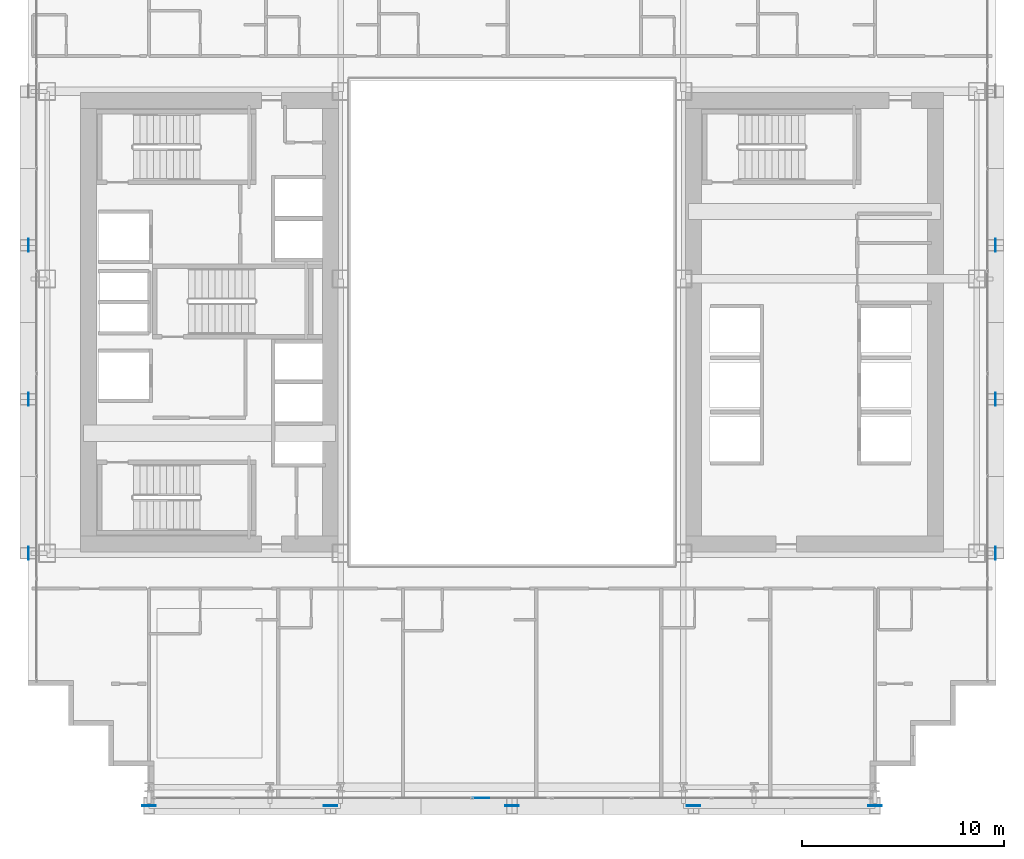
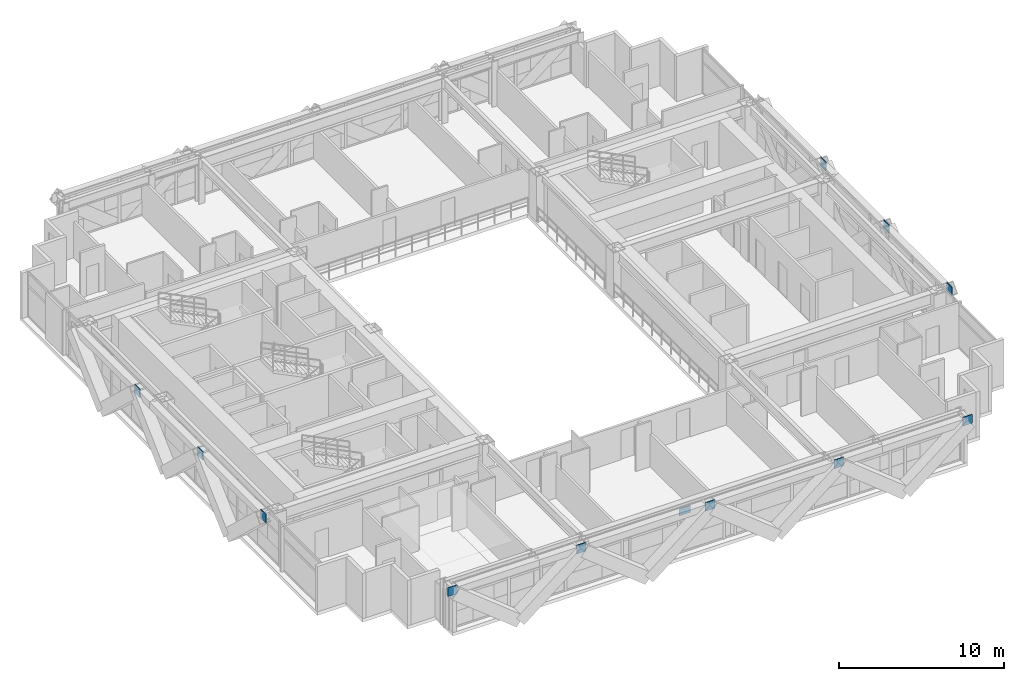
# One storey, part 28 of 38: 12 plates, 1 element without a shape of its own.
"""IFC4 building model written with IfcOpenShell, lengths in metres."""

from ifc_helpers import new_model, si_unit, direction, frame, origin, origin_2d, place, context, subcontext, project, spatial, rectangle, extrude, source, transform, mapped, material, layer, layer_set, type_object, element, aggregate, save


model = new_model("IFC4")

# Units and contexts
model_context = context("Model", 3, precision=1e-05, world=origin(), true_north=direction((0.0, 1.0)))
body_context = subcontext(model_context, "Body", "Model", "MODEL_VIEW")
ifc_project = project(units=[si_unit("LENGTHUNIT", "METRE"), si_unit("AREAUNIT", "SQUARE_METRE"), si_unit("VOLUMEUNIT", "CUBIC_METRE"), si_unit("PLANEANGLEUNIT", "RADIAN"), si_unit("MASSUNIT", "GRAM", prefix="KILO")], contexts=[model_context])

# Site, building, storey
site_placement = place(None, origin())
site = spatial("IfcSite", under=ifc_project, at=site_placement, CompositionType="ELEMENT")
building_placement = place(site_placement, origin())
building = spatial("IfcBuilding", under=site, at=building_placement, Name="Ocotamira Hotel", CompositionType="ELEMENT")
storey_placement = place(building_placement, frame((0.0, 0.0, 45.60009765625)))
storey = spatial("IfcBuildingStorey", under=building, at=storey_placement, Name="L10", CompositionType="ELEMENT", Elevation=45.60009765625)

# Plates
ifc_material_1 = material(Name="Pale-metal coated steel ASTM A572 Grade 50", Category="steel")
ifc_layer_1 = layer(ifc_material_1, 0.0400390625)
ifc_layer_set_1 = layer_set([ifc_layer_1], Name="Pale-metal coated steel ASTM A572 Grade 50")
plate_type_1 = type_object("IfcPlateType", Name="PLT-GUSSET-40", PredefinedType="SHEET", material=ifc_layer_set_1)
shared_shape_1 = source(origin(), body_context, "Body", "SweptSolid", [
    extrude(rectangle(XDim=0.64990234375, YDim=0.0400390625, at=origin_2d()), origin(), (0.0, 0.0, 1.0), 0.64990234375),
])
for number, where, z_axis, x_axis, name in (
    (1, (14.0, 2.030029296875, 2.77490234375), (0.0, 0.0, 1.0), (-1.0, 0.0, 0.0), "L10 Exoskeleton Diagrid S0.1 End Gusset B"),
    (2, (23.0, 2.030029296875, 2.77490234375), (0.0, 0.0, 1.0), (1.0, 0.0, 0.0), "L10 Exoskeleton Diagrid S0.2 End Gusset B"),
    (3, (32.0, 2.030029296875, 2.77490234375), (0.0, 0.0, 1.0), (1.0, 0.0, 0.0), "L10 Exoskeleton Diagrid S1.2 End Gusset B"),
    (4, (41.0, 2.030029296875, 2.77490234375), (0.0, 0.0, 1.0), (1.0, 0.0, 0.0), "L10 Exoskeleton Diagrid S2.2 End Gusset B"),
    (5, (50.0, 2.030029296875, 2.77490234375), (0.0, 0.0, 1.0), (1.0, 0.0, 0.0), "L10 Exoskeleton Diagrid S3.2 End Gusset B"),
):
    element("IfcPlate", number, at=place(storey_placement, frame(where, z_axis=z_axis, x_axis=x_axis)), inside=storey, type_object=plate_type_1, Name=name, PredefinedType="SHEET", context=body_context, shape_type="MappedRepresentation", body=[
        mapped(shared_shape_1, transform((0.0, 0.0, 0.0), scale=1.0)),
    ])
shared_shape_2 = source(origin(), body_context, "Body", "SweptSolid", [
    extrude(rectangle(XDim=0.0400390625, YDim=0.64990234375, at=origin_2d()), origin(), (0.0, 0.0, 1.0), 0.64990234375),
])
for number, where, z_axis, x_axis, name in (
    (6, (8.030029296875, 14.550048828125, 2.77490234375), (0.0, 0.0, 1.0), (1.0, 0.0, 0.0), "L10 Exoskeleton Diagrid W0.1 End Gusset B"),
    (7, (8.030029296875, 22.183349609375, 2.77490234375), (0.0, 0.0, 1.0), (1.0, 0.0, 0.0), "L10 Exoskeleton Diagrid W0.2 End Gusset B"),
    (8, (8.030029296875, 29.816650390625, 2.77490234375), (0.0, 0.0, 1.0), (1.0, 0.0, 0.0), "L10 Exoskeleton Diagrid W1.2 End Gusset B"),
    (9, (55.969970703125, 14.550048828125, 2.77490234375), (0.0, 0.0, 1.0), (1.0, 0.0, 0.0), "L10 Exoskeleton Diagrid E0.1 End Gusset B"),
    (10, (55.969970703125, 22.183349609375, 2.77490234375), (0.0, 0.0, 1.0), (1.0, 0.0, 0.0), "L10 Exoskeleton Diagrid E0.2 End Gusset B"),
    (11, (55.969970703125, 29.816650390625, 2.77490234375), (0.0, 0.0, 1.0), (1.0, 0.0, 0.0), "L10 Exoskeleton Diagrid E1.2 End Gusset B"),
):
    element("IfcPlate", number, at=place(storey_placement, frame(where, z_axis=z_axis, x_axis=x_axis)), inside=storey, type_object=plate_type_1, Name=name, PredefinedType="SHEET", context=body_context, shape_type="MappedRepresentation", body=[
        mapped(shared_shape_2, transform((0.0, 0.0, 0.0), scale=1.0)),
    ])

# Curtain wall, plate
ifc_material_2 = material(Name="Anodised pale-metal aluminium and solar glass", Category="aluminium")
ifc_layer_2 = layer(ifc_material_2, 0.179931640625)
ifc_layer_set_2 = layer_set([ifc_layer_2], Name="Anodised pale-metal aluminium and solar glass")
curtain_wall_type = type_object("IfcCurtainWallType", Name="CW-SYS2-Z1", PredefinedType="NOTDEFINED", material=ifc_layer_set_2)
curtain_wall_placement = place(storey_placement, origin())
curtain_wall = element("IfcCurtainWall", 12, at=curtain_wall_placement, inside=storey, type_object=curtain_wall_type, Name="L10 Curtain Wall CW-2 CW-L10-S1", PredefinedType="NOTDEFINED")
ifc_material_3 = material(Name="Double-silver low-E insulated solar glass", Category="glass")
ifc_layer_3 = layer(ifc_material_3, 0.031982421875)
ifc_layer_set_3 = layer_set([ifc_layer_3], Name="Double-silver low-E insulated solar glass")
plate_type_2 = type_object("IfcPlateType", Name="CWP-VISION-32", PredefinedType="CURTAIN_PANEL", material=ifc_layer_set_3)
shared_shape_3 = source(origin(), body_context, "Body", "SweptSolid", [
    extrude(rectangle(XDim=0.797607421875, YDim=0.031982421875, at=origin_2d()), origin(), (0.0, 0.0, 1.0), 0.5107421875),
])
plate_placement = place(storey_placement, frame((30.461181640625, 2.419921875, 2.76416015625), z_axis=(0.0, 0.0, 1.0), x_axis=(1.0, 0.0, 0.0)))
plate = element("IfcPlate", 13, at=plate_placement, type_object=plate_type_2, Name="CW-2 panel 5.2.1", PredefinedType="CURTAIN_PANEL", context=body_context, shape_type="MappedRepresentation", body=[
    mapped(shared_shape_3, transform((0.0, 0.0, 0.0), scale=1.0)),
])
aggregate(curtain_wall, [plate])

save(model, "model.ifc")
